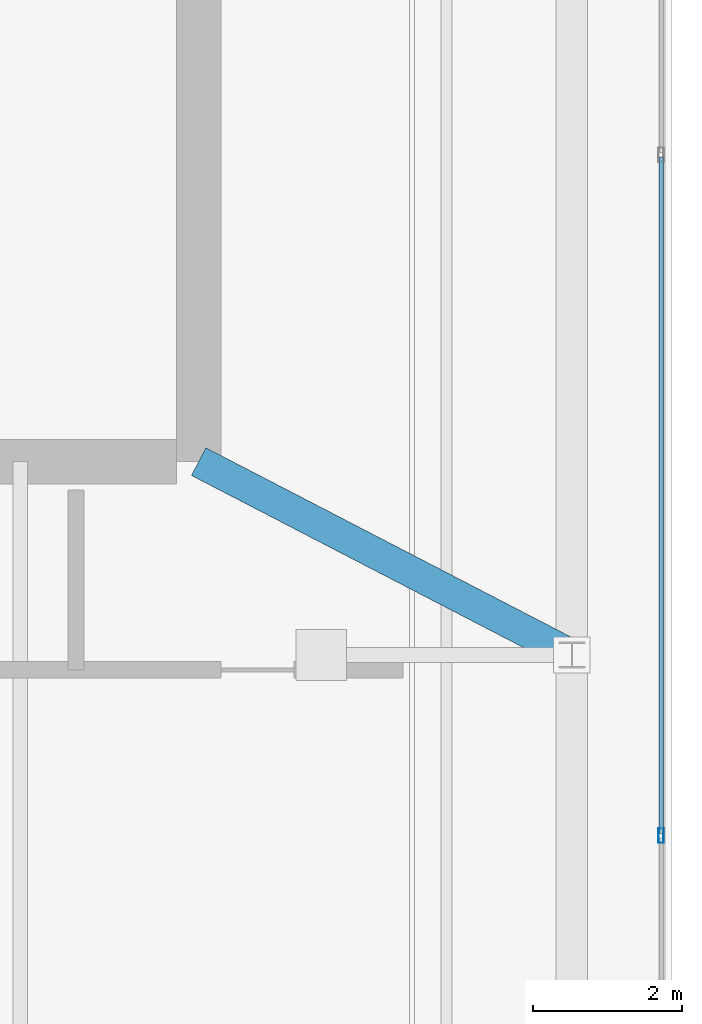
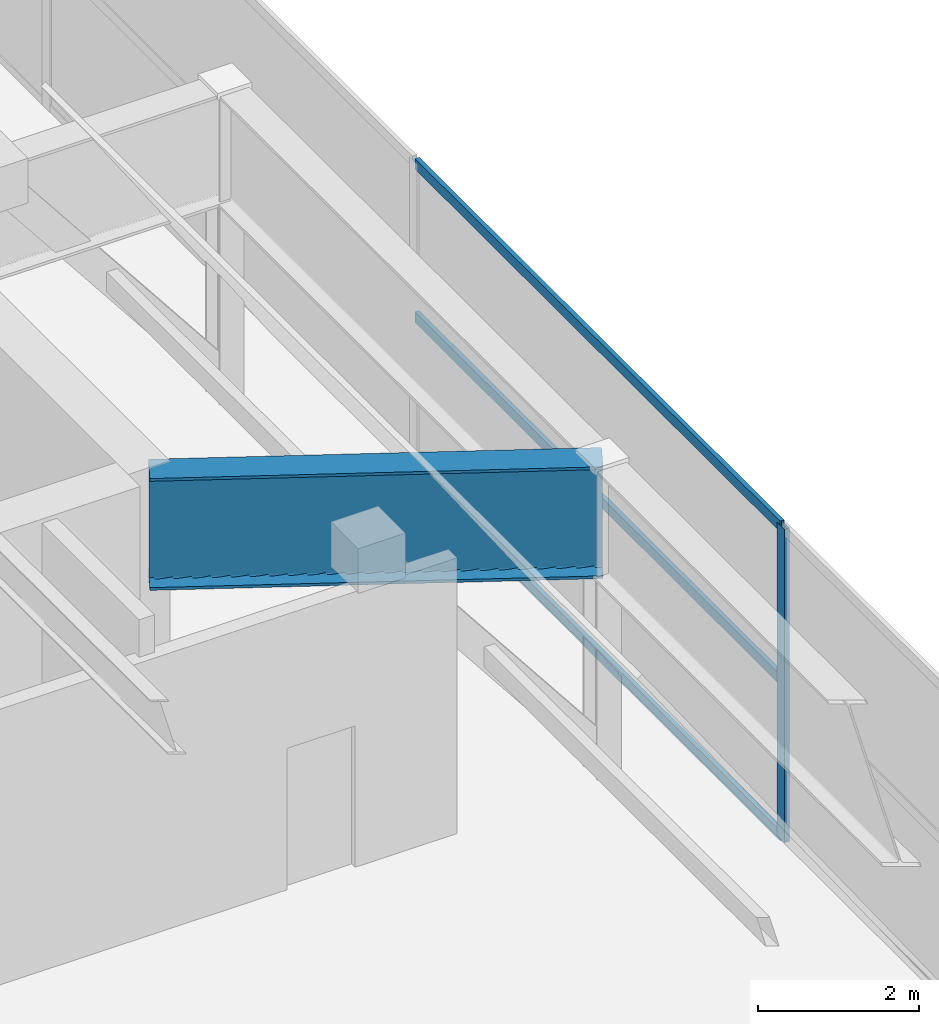
# One storey, part 8 of 20: 4 members, 1 beam, 1 element without a shape of its own.
"""IFC4 building model written with IfcOpenShell, lengths in metres."""

from ifc_helpers import new_model, si_unit, direction, frame, origin, origin_2d, place, context, subcontext, project, spatial, hollow_rectangle, i_section, extrude, material, layer, layer_set, material_profile, profile_set, type_object, element, aggregate, save


model = new_model("IFC4")

# Units and contexts
model_context = context("Model", 3, precision=1e-05, world=origin(), true_north=direction((0.0, 1.0)))
body_context = subcontext(model_context, "Body", "Model", "MODEL_VIEW")
ifc_project = project(units=[si_unit("LENGTHUNIT", "METRE"), si_unit("AREAUNIT", "SQUARE_METRE"), si_unit("VOLUMEUNIT", "CUBIC_METRE"), si_unit("PLANEANGLEUNIT", "RADIAN"), si_unit("MASSUNIT", "GRAM", prefix="KILO")], contexts=[model_context])

# Site, building, storey
site_placement = place(None, origin())
site = spatial("IfcSite", under=ifc_project, at=site_placement, CompositionType="ELEMENT")
building_placement = place(site_placement, origin())
building = spatial("IfcBuilding", under=site, at=building_placement, Name="Calvorn Quay Hotel", CompositionType="ELEMENT")
storey_placement = place(building_placement, frame((0.0, 0.0, 340.5)))
storey = spatial("IfcBuildingStorey", under=building, at=storey_placement, Name="L83", CompositionType="ELEMENT", Elevation=340.5)

# Beam
ifc_material_1 = material(Name="Steel Q420GJC", Category="steel")
ifc_material_profile_1 = material_profile(ifc_material_1, i_section(OverallWidth=0.419921875, OverallDepth=1.699951171875, WebThickness=0.02392578125, FlangeThickness=0.0419921875, FilletRadius=0.02392578125, at=origin_2d()), Name="HN1700x420x24x42")
ifc_profile_set_1 = profile_set([ifc_material_profile_1], Name="Steel Q420GJC")
beam_type = type_object("IfcBeamType", Name="BM-XFER-SAWTOOTH", PredefinedType="BEAM", material=ifc_profile_set_1)
beam_placement = place(storey_placement, frame((15.0, 16.800048828125, 3.889892578125), z_axis=(0.8878525972, -0.46012798833, 0.0), x_axis=(0.46012798833, 0.8878525972, 0.0)))
element("IfcBeam", 1, at=beam_placement, inside=storey, type_object=beam_type, Name="Beam BTG-L83-C-CR2", PredefinedType="BEAM", context=body_context, shape_type="SweptSolid", body=[
    extrude(i_section(OverallWidth=0.419921875, OverallDepth=1.699951171875, WebThickness=0.02392578125, FlangeThickness=0.0419921875, FilletRadius=0.02392578125, at=origin_2d()), origin(), (0.0, 0.0, 1.0), 5.65087890625),
])

# Curtain wall, members
ifc_material_2 = material(Name="Pale Anodised Aluminium and Laminated Glass", Category="aluminium")
ifc_layer = layer(ifc_material_2, 0.219970703125)
ifc_layer_set = layer_set([ifc_layer], Name="CW-SYS-CRN")
curtain_wall_type = type_object("IfcCurtainWallType", Name="CW-SYS-CRN", PredefinedType="NOTDEFINED", material=ifc_layer_set)
curtain_wall_placement = place(storey_placement, origin())
curtain_wall = element("IfcCurtainWall", 2, at=curtain_wall_placement, inside=storey, type_object=curtain_wall_type, Name="Crown Curtain Wall L83-C2", PredefinedType="NOTDEFINED")
ifc_material_3 = material(Name="Pale Anodised Aluminium 6063-T6", Category="aluminium")
ifc_material_profile_2 = material_profile(ifc_material_3, hollow_rectangle(XDim=0.072021484375, YDim=0.195068359375, WallThickness=0.00390625, at=origin_2d()), Name="ALU-M195x72x4")
ifc_profile_set_2 = profile_set([ifc_material_profile_2], Name="Pale Anodised Aluminium 6063-T6")
member_type_1 = type_object("IfcMemberType", Name="CW-SYS-CRN-MUL", PredefinedType="MULLION", material=ifc_profile_set_2)
member_1_placement = place(storey_placement, frame((21.217041015625, 11.77197265625, 0.0), z_axis=(0.0, 0.0, 1.0), x_axis=(-1.0, 0.0, 0.0)))
member_1 = element("IfcMember", 3, at=member_1_placement, type_object=member_type_1, Name="CW-L83-C2 mullion 2", PredefinedType="MULLION", context=body_context, shape_type="SweptSolid", body=[
    extrude(hollow_rectangle(XDim=0.072021484375, YDim=0.195068359375, WallThickness=0.00390625, at=origin_2d()), origin(), (0.0, 0.0, 1.0), 4.760009765625),
])
ifc_material_4 = material(Name="Pale Anodised Aluminium 6063-T6", Category="aluminium")
ifc_material_profile_3 = material_profile(ifc_material_4, hollow_rectangle(XDim=0.06201171875, YDim=0.159912109375, WallThickness=0.00341796875, at=origin_2d()), Name="ALU-T160x62x3.5")
ifc_profile_set_3 = profile_set([ifc_material_profile_3], Name="Pale Anodised Aluminium 6063-T6")
member_type_2 = type_object("IfcMemberType", Name="CW-SYS-CRN-TRN", PredefinedType="USERDEFINED", material=ifc_profile_set_3)
member_2_placement = place(storey_placement, frame((21.217041015625, 11.802001953125, 0.030029296875), z_axis=(0.0, 1.0, 0.0), x_axis=(-1.0, 0.0, 0.0)))
member_2 = element("IfcMember", 4, at=member_2_placement, type_object=member_type_2, Name="CW-L83-C2 transom 2.1", ObjectType="TRANSOM", PredefinedType="USERDEFINED", context=body_context, shape_type="SweptSolid", body=[
    extrude(hollow_rectangle(XDim=0.06201171875, YDim=0.159912109375, WallThickness=0.00341796875, at=origin_2d()), origin(), (0.0, 0.0, 1.0), 9.092041015625),
])
member_3_placement = place(storey_placement, frame((21.217041015625, 11.802001953125, 2.39990234375), z_axis=(0.0, 1.0, 0.0), x_axis=(-1.0, 0.0, 0.0)))
member_3 = element("IfcMember", 5, at=member_3_placement, type_object=member_type_2, Name="CW-L83-C2 transom 2.2", ObjectType="TRANSOM", PredefinedType="USERDEFINED", context=body_context, shape_type="SweptSolid", body=[
    extrude(hollow_rectangle(XDim=0.06201171875, YDim=0.159912109375, WallThickness=0.00341796875, at=origin_2d()), origin(), (0.0, 0.0, 1.0), 9.092041015625),
])
member_4_placement = place(storey_placement, frame((21.217041015625, 11.802001953125, 4.72998046875), z_axis=(0.0, 1.0, 0.0), x_axis=(-1.0, 0.0, 0.0)))
member_4 = element("IfcMember", 6, at=member_4_placement, type_object=member_type_2, Name="CW-L83-C2 transom 2.3", ObjectType="TRANSOM", PredefinedType="USERDEFINED", context=body_context, shape_type="SweptSolid", body=[
    extrude(hollow_rectangle(XDim=0.06201171875, YDim=0.159912109375, WallThickness=0.00341796875, at=origin_2d()), origin(), (0.0, 0.0, 1.0), 9.092041015625),
])
aggregate(curtain_wall, [member_1, member_2, member_3, member_4])

save(model, "model.ifc")
